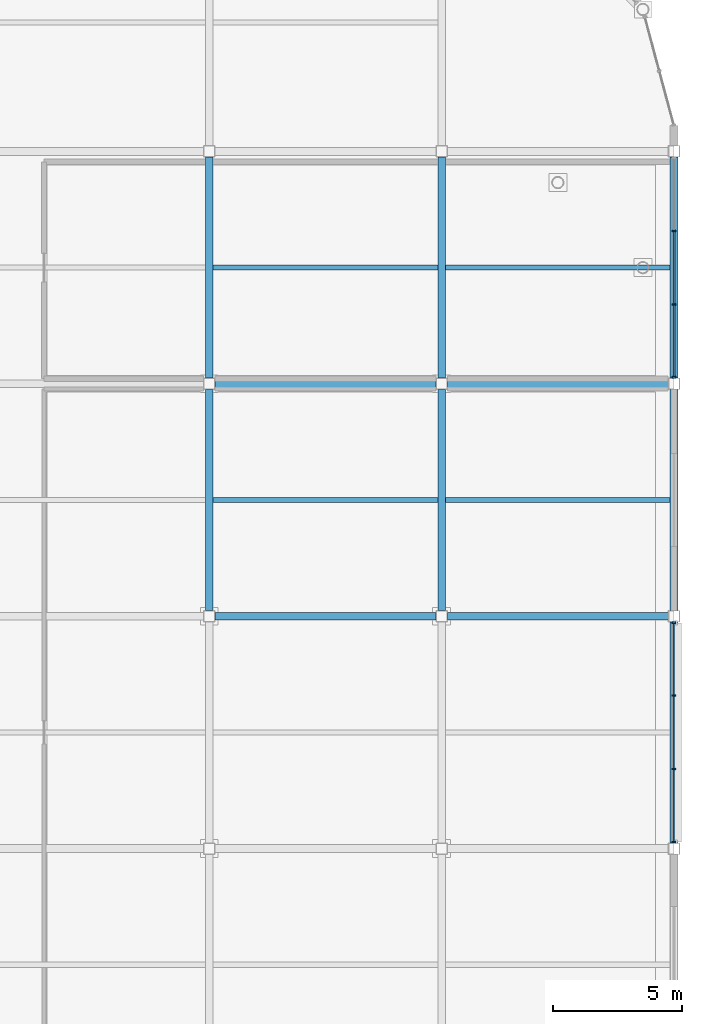
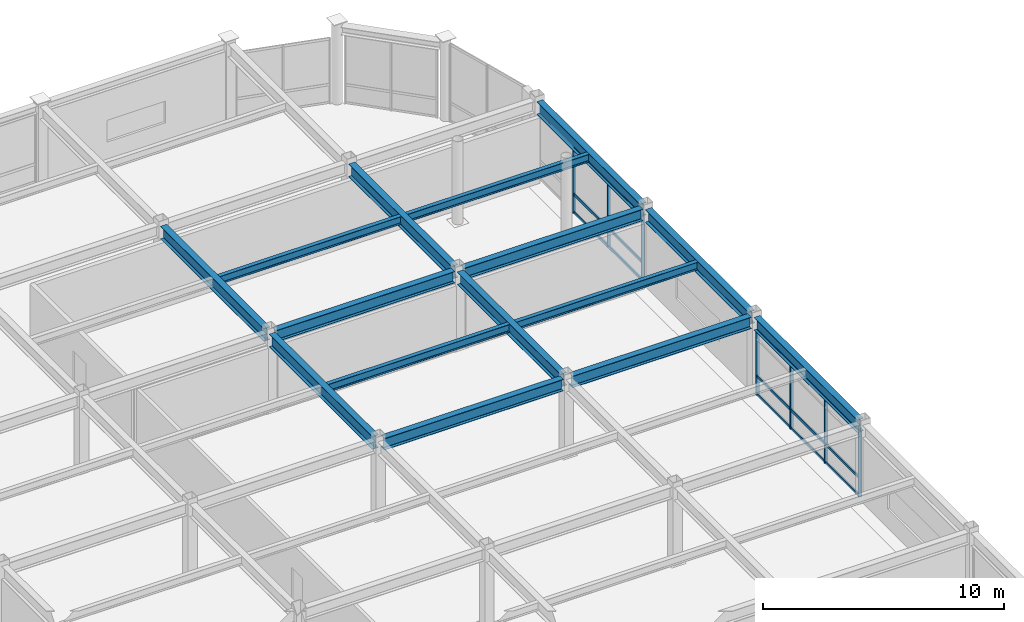
# One storey, part 58 of 105: 22 members, 15 beams, 2 elements without a shape of their own.
"""IFC4 building model written with IfcOpenShell, lengths in metres."""

import ifcopenshell
import ifcopenshell.guid

model = None  # the IFC model being written
_history = None  # IfcOwnerHistory: only IFC2X3 demands one
_inside = {}  # id of a spatial element -> (the spatial element, [elements in it])
_under = {}  # id of a project, library or spatial element -> (it, [spatial elements below it])
_declared = {}  # id of a project -> (the project, [libraries it declares])
_typed = {}  # id of a type object -> (the type object, [elements of that type])
_made_of = {}  # id of a material, layer set ... -> (it, [elements and type objects made of it])


def new_model(schema):
    """Start an empty IFC model of exactly this schema.

    Asked for "IFC4X3", IfcOpenShell would pick the latest addendum, in which some entities
    have other attributes; the version numbers below select the first issue.
    IFC2X3 requires an IfcOwnerHistory on every rooted entity: one is made here for all.
    """
    global model, _history
    if schema == "IFC4X3":
        model = ifcopenshell.file(schema_version=(4, 3, 0, 0))
    else:
        model = ifcopenshell.file(schema=schema)
    _inside.clear()
    _under.clear()
    _declared.clear()
    _typed.clear()
    _made_of.clear()
    _history = None
    if model.schema == "IFC2X3":
        org = make("IfcOrganization", Name="unknown")
        user = make(
            "IfcPersonAndOrganization",
            ThePerson=make("IfcPerson", FamilyName="unknown"),
            TheOrganization=org,
        )
        app = make(
            "IfcApplication",
            ApplicationDeveloper=org,
            Version="unknown",
            ApplicationFullName="unknown",
            ApplicationIdentifier="unknown",
        )
        _history = make(
            "IfcOwnerHistory",
            OwningUser=user,
            OwningApplication=app,
            ChangeAction="ADDED",
            CreationDate=0,
        )
    return model


def make(cls, **values):
    """One entity of the class cls with the attributes given. An attribute that is None is left unset."""
    return model.create_entity(
        cls, **{name: value for name, value in values.items() if value is not None}
    )


def rooted(cls, **values):
    """An entity with a GlobalId (a new one), such as an element, a storey or a relation."""
    return make(cls, GlobalId=ifcopenshell.guid.new(), OwnerHistory=_history, **values)


def si_unit(unit_type, name, prefix=None):
    """IfcSIUnit, for example si_unit("LENGTHUNIT", "METRE", prefix="MILLI")."""
    return make("IfcSIUnit", UnitType=unit_type, Prefix=prefix, Name=name)


def assignment(units):
    """IfcUnitAssignment: the units of a project."""
    return None if units is None else make("IfcUnitAssignment", Units=units)


def point(xyz):
    """IfcCartesianPoint."""
    return None if xyz is None else make("IfcCartesianPoint", Coordinates=xyz)


def direction(xyz):
    """IfcDirection."""
    return None if xyz is None else make("IfcDirection", DirectionRatios=xyz)


def frame(location, z_axis=None, x_axis=None):
    """IfcAxis2Placement3D, a coordinate frame: its origin and axes. An axis left out is left unset."""
    return make(
        "IfcAxis2Placement3D",
        Location=point(location),
        Axis=direction(z_axis),
        RefDirection=direction(x_axis),
    )


def frame_2d(location, x_axis=None):
    """IfcAxis2Placement2D, a coordinate frame in the plane: its origin and x axis."""
    return make(
        "IfcAxis2Placement2D", Location=point(location), RefDirection=direction(x_axis)
    )


def origin():
    """The frame at (0, 0, 0) with its axes left unset."""
    return frame((0.0, 0.0, 0.0))


def origin_2d():
    """The frame at (0, 0) in the plane with its x axis left unset."""
    return frame_2d((0.0, 0.0))


def place(relative_to, where):
    """IfcLocalPlacement: puts the frame where relative to a parent placement (None: the world)."""
    return make(
        "IfcLocalPlacement", PlacementRelTo=relative_to, RelativePlacement=where
    )


def context(
    kind, dimensions, precision=None, world=None, true_north=None, identifier=None
):
    """IfcGeometricRepresentationContext, for example the 3D "Model" context."""
    return make(
        "IfcGeometricRepresentationContext",
        ContextIdentifier=identifier,
        ContextType=kind,
        CoordinateSpaceDimension=dimensions,
        Precision=precision,
        WorldCoordinateSystem=world,
        TrueNorth=true_north,
    )


def subcontext(parent, identifier, kind, view, scale=None):
    """IfcGeometricRepresentationSubContext, for example "Body" below "Model"."""
    return make(
        "IfcGeometricRepresentationSubContext",
        ContextIdentifier=identifier,
        ContextType=kind,
        ParentContext=parent,
        TargetScale=scale,
        TargetView=view,
    )


def project(units=None, contexts=None):
    """IfcProject with its units and contexts."""
    return rooted(
        "IfcProject",
        Name="project",
        RepresentationContexts=contexts,
        UnitsInContext=assignment(units),
    )


def spatial(cls, under=None, at=None, **own):
    """A site, building, storey or space (cls), placed at a placement, below another one or the project."""
    s = rooted(cls, ObjectPlacement=at, **own)
    if under is not None:
        _under.setdefault(under.id(), (under, []))[1].append(s)
    return s


def profile(cls, at=None, kind="AREA", **sizes):
    """A parametric profile (cls). Its sizes go by their IFC names, for example OverallWidth=200.0."""
    return make(cls, ProfileType=kind, Position=at, **sizes)


def rectangle(**sizes):
    """IfcRectangleProfileDef."""
    return profile("IfcRectangleProfileDef", **sizes)


def i_section(**sizes):
    """IfcIShapeProfileDef."""
    return profile("IfcIShapeProfileDef", **sizes)


def extrude(swept, where, along, depth):
    """IfcExtrudedAreaSolid: the profile swept, set in the frame where, extruded along a direction by depth."""
    return make(
        "IfcExtrudedAreaSolid",
        SweptArea=swept,
        Position=where,
        ExtrudedDirection=direction(along),
        Depth=depth,
    )


def shape(context_of_items, identifier, shape_type, items):
    """IfcShapeRepresentation: the items that make up one representation, for example the "Body"."""
    return make(
        "IfcShapeRepresentation",
        ContextOfItems=context_of_items,
        RepresentationIdentifier=identifier,
        RepresentationType=shape_type,
        Items=items,
    )


def material(Name=None, Category=None):
    """IfcMaterial."""
    return make("IfcMaterial", Name=Name, Category=Category)


def material_profile(
    of_material, cross_section, Name=None, Category=None, Priority=None
):
    """IfcMaterialProfile: a cross section and its material."""
    return make(
        "IfcMaterialProfile",
        Name=Name,
        Material=of_material,
        Profile=cross_section,
        Priority=Priority,
        Category=Category,
    )


def profile_set(profiles, Name=None, composite=None):
    """IfcMaterialProfileSet."""
    return make(
        "IfcMaterialProfileSet",
        Name=Name,
        MaterialProfiles=profiles,
        CompositeProfile=composite,
    )


def made_of(thing, what):
    """Note that an element or type object is made of a material, layer set ...; save() writes the relation."""
    if what is not None:
        _made_of.setdefault(what.id(), (what, []))[1].append(thing)
    return thing


def type_object(cls, material=None, **own):
    """A type object (cls), such as IfcWallType, which elements share."""
    return made_of(rooted(cls, **own), material)


def element(
    cls,
    number,
    at=None,
    inside=None,
    cuts=None,
    type_object=None,
    material=None,
    context=None,
    identifier="Body",
    shape_type=None,
    held_by="IfcProductDefinitionShape",
    body=None,
    shapes=None,
    **own,
):
    """One element of the class cls, such as IfcWall. Its Tag is "e" and its number.

    at: its placement. inside: the storey or other place that contains it. cuts: it is an
    opening in that element (IfcRelVoidsElement). A single representation is given by context,
    identifier, shape_type and body (its items); several are given by shapes. held_by: the class
    of the entity that holds the representations. save() writes the other relations.
    """
    e = rooted(cls, Tag="e%d" % number, ObjectPlacement=at, **own)
    if body is not None:
        shapes = [shape(context, identifier, shape_type, body)]
    if shapes is not None:
        e.Representation = make(held_by, Representations=shapes)
    if inside is not None:
        _inside.setdefault(inside.id(), (inside, []))[1].append(e)
    if cuts is not None:
        rooted(
            "IfcRelVoidsElement", RelatingBuildingElement=cuts, RelatedOpeningElement=e
        )
    if type_object is not None:
        _typed.setdefault(type_object.id(), (type_object, []))[1].append(e)
    return made_of(e, material)


def aggregate(whole, parts):
    """IfcRelAggregates: a whole, such as a stair, and the parts it consists of."""
    return rooted("IfcRelAggregates", RelatingObject=whole, RelatedObjects=parts)


def save(model, path):
    """Write the relations noted so far, then the file.

    IfcRelAggregates (storeys below a building ...), IfcRelContainedInSpatialStructure (elements
    in a storey), IfcRelDefinesByType, IfcRelAssociatesMaterial and IfcRelDeclares: one each for
    every whole, place, type object, material and project.
    """
    for whole, parts in _under.values():
        aggregate(whole, parts)
    for where, things in _inside.values():
        rooted(
            "IfcRelContainedInSpatialStructure",
            RelatedElements=things,
            RelatingStructure=where,
        )
    for kind, things in _typed.values():
        rooted("IfcRelDefinesByType", RelatedObjects=things, RelatingType=kind)
    for what, things in _made_of.values():
        rooted("IfcRelAssociatesMaterial", RelatedObjects=things, RelatingMaterial=what)
    for by, libraries in _declared.values():
        rooted("IfcRelDeclares", RelatingContext=by, RelatedDefinitions=libraries)
    model.write(path)


model = new_model("IFC4")

# Units and contexts
model_context = context("Model", 3, precision=1e-05, world=origin(), true_north=direction((0.0, 1.0)))
body_context = subcontext(model_context, "Body", "Model", "MODEL_VIEW")
ifc_project = project(units=[si_unit("LENGTHUNIT", "METRE"), si_unit("AREAUNIT", "SQUARE_METRE"), si_unit("VOLUMEUNIT", "CUBIC_METRE"), si_unit("PLANEANGLEUNIT", "RADIAN"), si_unit("MASSUNIT", "GRAM", prefix="KILO")], contexts=[model_context])

# Site, building, storey
site_placement = place(None, origin())
site = spatial("IfcSite", under=ifc_project, at=site_placement, CompositionType="ELEMENT")
building_placement = place(site_placement, origin())
building = spatial("IfcBuilding", under=site, at=building_placement, Name="Suzunagisa Mobility Hub", CompositionType="ELEMENT")
storey_placement = place(building_placement, frame((0.0, 0.0, 5.10009765625)))
storey = spatial("IfcBuildingStorey", under=building, at=storey_placement, Name="L01", CompositionType="ELEMENT", Elevation=5.10009765625)

# Curtain wall, members
ifc_material_1 = material(Name="Thermally Broken Anodized Aluminum and Low-E Glazing", Category="aluminium")
curtain_wall_type = type_object("IfcCurtainWallType", Name="Unitised Curtain Wall CW-43 8500x3300", PredefinedType="USERDEFINED", material=ifc_material_1)
curtain_wall_1_placement = place(storey_placement, origin())
curtain_wall_1 = element("IfcCurtainWall", 1, at=curtain_wall_1_placement, inside=storey, type_object=curtain_wall_type, Name="L01 Unitised Curtain Wall CW-186", ObjectType="UNITISED CURTAIN WALL", PredefinedType="USERDEFINED")
ifc_material_2 = material(Name="Anodized Aluminum 6063-T6", Category="aluminium")
ifc_material_profile_1 = material_profile(ifc_material_2, rectangle(XDim=0.06494140625, YDim=0.139892578125, at=origin_2d()), Name="TRAN-65x140")
ifc_profile_set_1 = profile_set([ifc_material_profile_1], Name="Anodized Aluminum 6063-T6")
member_type_1 = type_object("IfcMemberType", Name="Curtain Wall Framing CM-01 TRAN-65x140", PredefinedType="USERDEFINED", material=ifc_profile_set_1)
member_1_placement = place(storey_placement, frame((180.0, 71.282958984375, 0.032470703125), z_axis=(0.0, 1.0, 0.0), x_axis=(-1.0, 0.0, 0.0)))
member_1 = element("IfcMember", 2, at=member_1_placement, type_object=member_type_1, Name="Curtain Wall Transom 186-T1.1", ObjectType="TRANSOM", PredefinedType="USERDEFINED", context=body_context, shape_type="SweptSolid", body=[
    extrude(rectangle(XDim=0.06494140625, YDim=0.139892578125, at=origin_2d()), origin(), (0.0, 0.0, 1.0), 2.76416015625),
])
member_2_placement = place(storey_placement, frame((180.0, 71.282958984375, 0.949951171875), z_axis=(0.0, 1.0, 0.0), x_axis=(-1.0, 0.0, 0.0)))
member_2 = element("IfcMember", 3, at=member_2_placement, type_object=member_type_1, Name="Curtain Wall Transom 186-T1.2", ObjectType="TRANSOM", PredefinedType="USERDEFINED", context=body_context, shape_type="SweptSolid", body=[
    extrude(rectangle(XDim=0.06494140625, YDim=0.139892578125, at=origin_2d()), origin(), (0.0, 0.0, 1.0), 2.76416015625),
])
member_3_placement = place(storey_placement, frame((180.0, 71.282958984375, 3.267333984375), z_axis=(0.0, 1.0, 0.0), x_axis=(-1.0, 0.0, 0.0)))
member_3 = element("IfcMember", 4, at=member_3_placement, type_object=member_type_1, Name="Curtain Wall Transom 186-T1.3", ObjectType="TRANSOM", PredefinedType="USERDEFINED", context=body_context, shape_type="SweptSolid", body=[
    extrude(rectangle(XDim=0.06494140625, YDim=0.139892578125, at=origin_2d()), origin(), (0.0, 0.0, 1.0), 2.76416015625),
])
member_4_placement = place(storey_placement, frame((180.0, 74.10302734375, 0.032470703125), z_axis=(0.0, 1.0, 0.0), x_axis=(-1.0, 0.0, 0.0)))
member_4 = element("IfcMember", 5, at=member_4_placement, type_object=member_type_1, Name="Curtain Wall Transom 186-T2.1", ObjectType="TRANSOM", PredefinedType="USERDEFINED", context=body_context, shape_type="SweptSolid", body=[
    extrude(rectangle(XDim=0.06494140625, YDim=0.139892578125, at=origin_2d()), origin(), (0.0, 0.0, 1.0), 2.7939453125),
])
member_5_placement = place(storey_placement, frame((180.0, 74.10302734375, 0.949951171875), z_axis=(0.0, 1.0, 0.0), x_axis=(-1.0, 0.0, 0.0)))
member_5 = element("IfcMember", 6, at=member_5_placement, type_object=member_type_1, Name="Curtain Wall Transom 186-T2.2", ObjectType="TRANSOM", PredefinedType="USERDEFINED", context=body_context, shape_type="SweptSolid", body=[
    extrude(rectangle(XDim=0.06494140625, YDim=0.139892578125, at=origin_2d()), origin(), (0.0, 0.0, 1.0), 2.7939453125),
])
member_6_placement = place(storey_placement, frame((180.0, 74.10302734375, 3.267333984375), z_axis=(0.0, 1.0, 0.0), x_axis=(-1.0, 0.0, 0.0)))
member_6 = element("IfcMember", 7, at=member_6_placement, type_object=member_type_1, Name="Curtain Wall Transom 186-T2.3", ObjectType="TRANSOM", PredefinedType="USERDEFINED", context=body_context, shape_type="SweptSolid", body=[
    extrude(rectangle(XDim=0.06494140625, YDim=0.139892578125, at=origin_2d()), origin(), (0.0, 0.0, 1.0), 2.7939453125),
])
member_7_placement = place(storey_placement, frame((180.0, 76.952880859375, 0.032470703125), z_axis=(0.0, 1.0, 0.0), x_axis=(-1.0, 0.0, 0.0)))
member_7 = element("IfcMember", 8, at=member_7_placement, type_object=member_type_1, Name="Curtain Wall Transom 186-T3.1", ObjectType="TRANSOM", PredefinedType="USERDEFINED", context=body_context, shape_type="SweptSolid", body=[
    extrude(rectangle(XDim=0.06494140625, YDim=0.139892578125, at=origin_2d()), origin(), (0.0, 0.0, 1.0), 2.76416015625),
])
member_8_placement = place(storey_placement, frame((180.0, 76.952880859375, 0.949951171875), z_axis=(0.0, 1.0, 0.0), x_axis=(-1.0, 0.0, 0.0)))
member_8 = element("IfcMember", 9, at=member_8_placement, type_object=member_type_1, Name="Curtain Wall Transom 186-T3.2", ObjectType="TRANSOM", PredefinedType="USERDEFINED", context=body_context, shape_type="SweptSolid", body=[
    extrude(rectangle(XDim=0.06494140625, YDim=0.139892578125, at=origin_2d()), origin(), (0.0, 0.0, 1.0), 2.76416015625),
])
member_9_placement = place(storey_placement, frame((180.0, 76.952880859375, 3.267333984375), z_axis=(0.0, 1.0, 0.0), x_axis=(-1.0, 0.0, 0.0)))
member_9 = element("IfcMember", 10, at=member_9_placement, type_object=member_type_1, Name="Curtain Wall Transom 186-T3.3", ObjectType="TRANSOM", PredefinedType="USERDEFINED", context=body_context, shape_type="SweptSolid", body=[
    extrude(rectangle(XDim=0.06494140625, YDim=0.139892578125, at=origin_2d()), origin(), (0.0, 0.0, 1.0), 2.76416015625),
])

curtain_wall_2_placement = place(storey_placement, origin())
curtain_wall_2 = element("IfcCurtainWall", 11, at=curtain_wall_2_placement, inside=storey, type_object=curtain_wall_type, Name="L01 Unitised Curtain Wall CW-187", ObjectType="UNITISED CURTAIN WALL", PredefinedType="USERDEFINED")
member_10_placement = place(storey_placement, frame((180.0, 89.282958984375, 0.032470703125), z_axis=(0.0, 1.0, 0.0), x_axis=(-1.0, 0.0, 0.0)))
member_10 = element("IfcMember", 12, at=member_10_placement, type_object=member_type_1, Name="Curtain Wall Transom 187-T1.1", ObjectType="TRANSOM", PredefinedType="USERDEFINED", context=body_context, shape_type="SweptSolid", body=[
    extrude(rectangle(XDim=0.06494140625, YDim=0.139892578125, at=origin_2d()), origin(), (0.0, 0.0, 1.0), 2.76416015625),
])
member_11_placement = place(storey_placement, frame((180.0, 89.282958984375, 0.949951171875), z_axis=(0.0, 1.0, 0.0), x_axis=(-1.0, 0.0, 0.0)))
member_11 = element("IfcMember", 13, at=member_11_placement, type_object=member_type_1, Name="Curtain Wall Transom 187-T1.2", ObjectType="TRANSOM", PredefinedType="USERDEFINED", context=body_context, shape_type="SweptSolid", body=[
    extrude(rectangle(XDim=0.06494140625, YDim=0.139892578125, at=origin_2d()), origin(), (0.0, 0.0, 1.0), 2.76416015625),
])
member_12_placement = place(storey_placement, frame((180.0, 89.282958984375, 3.267333984375), z_axis=(0.0, 1.0, 0.0), x_axis=(-1.0, 0.0, 0.0)))
member_12 = element("IfcMember", 14, at=member_12_placement, type_object=member_type_1, Name="Curtain Wall Transom 187-T1.3", ObjectType="TRANSOM", PredefinedType="USERDEFINED", context=body_context, shape_type="SweptSolid", body=[
    extrude(rectangle(XDim=0.06494140625, YDim=0.139892578125, at=origin_2d()), origin(), (0.0, 0.0, 1.0), 2.76416015625),
])
member_13_placement = place(storey_placement, frame((180.0, 92.10302734375, 0.032470703125), z_axis=(0.0, 1.0, 0.0), x_axis=(-1.0, 0.0, 0.0)))
member_13 = element("IfcMember", 15, at=member_13_placement, type_object=member_type_1, Name="Curtain Wall Transom 187-T2.1", ObjectType="TRANSOM", PredefinedType="USERDEFINED", context=body_context, shape_type="SweptSolid", body=[
    extrude(rectangle(XDim=0.06494140625, YDim=0.139892578125, at=origin_2d()), origin(), (0.0, 0.0, 1.0), 2.7939453125),
])
member_14_placement = place(storey_placement, frame((180.0, 92.10302734375, 0.949951171875), z_axis=(0.0, 1.0, 0.0), x_axis=(-1.0, 0.0, 0.0)))
member_14 = element("IfcMember", 16, at=member_14_placement, type_object=member_type_1, Name="Curtain Wall Transom 187-T2.2", ObjectType="TRANSOM", PredefinedType="USERDEFINED", context=body_context, shape_type="SweptSolid", body=[
    extrude(rectangle(XDim=0.06494140625, YDim=0.139892578125, at=origin_2d()), origin(), (0.0, 0.0, 1.0), 2.7939453125),
])
member_15_placement = place(storey_placement, frame((180.0, 92.10302734375, 3.267333984375), z_axis=(0.0, 1.0, 0.0), x_axis=(-1.0, 0.0, 0.0)))
member_15 = element("IfcMember", 17, at=member_15_placement, type_object=member_type_1, Name="Curtain Wall Transom 187-T2.3", ObjectType="TRANSOM", PredefinedType="USERDEFINED", context=body_context, shape_type="SweptSolid", body=[
    extrude(rectangle(XDim=0.06494140625, YDim=0.139892578125, at=origin_2d()), origin(), (0.0, 0.0, 1.0), 2.7939453125),
])

# Member
ifc_material_profile_2 = material_profile(ifc_material_2, rectangle(XDim=0.06005859375, YDim=0.14990234375, at=origin_2d()), Name="MULL-60x150")
ifc_profile_set_2 = profile_set([ifc_material_profile_2], Name="Anodized Aluminum 6063-T6")
member_type_2 = type_object("IfcMemberType", Name="Curtain Wall Framing CM-03 MULL-60x150", PredefinedType="MULLION", material=ifc_profile_set_2)
member_16_placement = place(storey_placement, frame((180.0, 71.2548828125, 0.0), z_axis=(0.0, 0.0, 1.0), x_axis=(0.0, 1.0, 0.0)))
member_16 = element("IfcMember", 18, at=member_16_placement, type_object=member_type_2, Name="Curtain Wall Mullion 186-M1", PredefinedType="MULLION", context=body_context, shape_type="SweptSolid", body=[
    extrude(rectangle(XDim=0.06005859375, YDim=0.14990234375, at=origin_2d()), origin(), (0.0, 0.0, 1.0), 3.2998046875),
])

member_17_placement = place(storey_placement, frame((180.0, 74.074951171875, 0.0), z_axis=(0.0, 0.0, 1.0), x_axis=(0.0, 1.0, 0.0)))
member_17 = element("IfcMember", 19, at=member_17_placement, type_object=member_type_2, Name="Curtain Wall Mullion 186-M2", PredefinedType="MULLION", context=body_context, shape_type="SweptSolid", body=[
    extrude(rectangle(XDim=0.06005859375, YDim=0.14990234375, at=origin_2d()), origin(), (0.0, 0.0, 1.0), 3.2998046875),
])

member_18_placement = place(storey_placement, frame((180.0, 76.925048828125, 0.0), z_axis=(0.0, 0.0, 1.0), x_axis=(0.0, 1.0, 0.0)))
member_18 = element("IfcMember", 20, at=member_18_placement, type_object=member_type_2, Name="Curtain Wall Mullion 186-M3", PredefinedType="MULLION", context=body_context, shape_type="SweptSolid", body=[
    extrude(rectangle(XDim=0.06005859375, YDim=0.14990234375, at=origin_2d()), origin(), (0.0, 0.0, 1.0), 3.2998046875),
])

member_19_placement = place(storey_placement, frame((180.0, 79.7451171875, 0.0), z_axis=(0.0, 0.0, 1.0), x_axis=(0.0, 1.0, 0.0)))
member_19 = element("IfcMember", 21, at=member_19_placement, type_object=member_type_2, Name="Curtain Wall Mullion 186-M4", PredefinedType="MULLION", context=body_context, shape_type="SweptSolid", body=[
    extrude(rectangle(XDim=0.06005859375, YDim=0.14990234375, at=origin_2d()), origin(), (0.0, 0.0, 1.0), 3.2998046875),
])

aggregate(curtain_wall_1, [member_16, member_17, member_18, member_19, member_1, member_2, member_3, member_4, member_5, member_6, member_7, member_8, member_9])

member_20_placement = place(storey_placement, frame((180.0, 89.2548828125, 0.0), z_axis=(0.0, 0.0, 1.0), x_axis=(0.0, 1.0, 0.0)))
member_20 = element("IfcMember", 22, at=member_20_placement, type_object=member_type_2, Name="Curtain Wall Mullion 187-M1", PredefinedType="MULLION", context=body_context, shape_type="SweptSolid", body=[
    extrude(rectangle(XDim=0.06005859375, YDim=0.14990234375, at=origin_2d()), origin(), (0.0, 0.0, 1.0), 3.2998046875),
])

member_21_placement = place(storey_placement, frame((180.0, 92.074951171875, 0.0), z_axis=(0.0, 0.0, 1.0), x_axis=(0.0, 1.0, 0.0)))
member_21 = element("IfcMember", 23, at=member_21_placement, type_object=member_type_2, Name="Curtain Wall Mullion 187-M2", PredefinedType="MULLION", context=body_context, shape_type="SweptSolid", body=[
    extrude(rectangle(XDim=0.06005859375, YDim=0.14990234375, at=origin_2d()), origin(), (0.0, 0.0, 1.0), 3.2998046875),
])

member_22_placement = place(storey_placement, frame((180.0, 94.925048828125, 0.0), z_axis=(0.0, 0.0, 1.0), x_axis=(0.0, 1.0, 0.0)))
member_22 = element("IfcMember", 24, at=member_22_placement, type_object=member_type_2, Name="Curtain Wall Mullion 187-M3", PredefinedType="MULLION", context=body_context, shape_type="SweptSolid", body=[
    extrude(rectangle(XDim=0.06005859375, YDim=0.14990234375, at=origin_2d()), origin(), (0.0, 0.0, 1.0), 3.2998046875),
])

aggregate(curtain_wall_2, [member_20, member_21, member_22, member_10, member_11, member_12, member_13, member_14, member_15])

# Beams
ifc_material_3 = material(Name="Steel SN490B", Category="steel")
ifc_material_profile_3 = material_profile(ifc_material_3, i_section(OverallWidth=0.300048828125, OverallDepth=0.64990234375, WebThickness=0.012939453125, FlangeThickness=0.02197265625, FilletRadius=0.01611328125, at=origin_2d()), Name="H-650x300x13x22")
ifc_profile_set_3 = profile_set([ifc_material_profile_3], Name="Steel SN490B")
beam_type_1 = type_object("IfcBeamType", Name="Steel Beam BM-10 H-650x300x13x22", PredefinedType="BEAM", material=ifc_profile_set_3)
for number, where, z_axis, x_axis, name in (
    (25, (162.0, 80.220947265625, 3.625), (0.0, 1.0, 0.0), (-1.0, 0.0, 0.0), "L01 Primary Girder GY-1839"),
    (26, (162.0, 89.220947265625, 3.625), (0.0, 1.0, 0.0), (-1.0, 0.0, 0.0), "L01 Primary Girder GY-1840"),
    (27, (171.0, 80.220947265625, 3.625), (0.0, 1.0, 0.0), (-1.0, 0.0, 0.0), "L01 Primary Girder GY-1845"),
    (28, (171.0, 89.220947265625, 3.625), (0.0, 1.0, 0.0), (-1.0, 0.0, 0.0), "L01 Primary Girder GY-1846"),
    (29, (180.0, 71.220947265625, 3.625), (0.0, 1.0, 0.0), (-1.0, 0.0, 0.0), "L01 Primary Girder GY-1850"),
    (30, (180.0, 80.220947265625, 3.625), (0.0, 1.0, 0.0), (-1.0, 0.0, 0.0), "L01 Primary Girder GY-1851"),
    (31, (180.0, 89.220947265625, 3.625), (0.0, 1.0, 0.0), (-1.0, 0.0, 0.0), "L01 Primary Girder GY-1852"),
):
    element("IfcBeam", number, at=place(storey_placement, frame(where, z_axis=z_axis, x_axis=x_axis)), inside=storey, type_object=beam_type_1, Name=name, PredefinedType="BEAM", context=body_context, shape_type="SweptSolid", body=[
        extrude(i_section(OverallWidth=0.300048828125, OverallDepth=0.64990234375, WebThickness=0.012939453125, FlangeThickness=0.02197265625, FilletRadius=0.01611328125, at=origin_2d()), origin(), (0.0, 0.0, 1.0), 8.55810546875),
    ])
ifc_material_4 = material(Name="Steel SN400B", Category="steel")
ifc_material_profile_4 = material_profile(ifc_material_4, i_section(OverallWidth=0.199951171875, OverallDepth=0.39990234375, WebThickness=0.008056640625, FlangeThickness=0.012939453125, FilletRadius=0.012939453125, at=origin_2d()), Name="H-400x200x8x13")
ifc_profile_set_4 = profile_set([ifc_material_profile_4], Name="Steel SN400B")
beam_type_2 = type_object("IfcBeamType", Name="Steel Beam BM-14 H-400x200x8x13", PredefinedType="JOIST", material=ifc_profile_set_4)
for number, where, z_axis, x_axis, name in (
    (32, (162.14990234375, 84.5, 3.75), (1.0, 0.0, 0.0), (0.0, 1.0, 0.0), "L01 Composite Floor Joist J-1865"),
    (33, (162.14990234375, 93.5, 3.75), (1.0, 0.0, 0.0), (0.0, 1.0, 0.0), "L01 Composite Floor Joist J-1866"),
    (34, (171.14990234375, 84.5, 3.75), (1.0, 0.0, 0.0), (0.0, 1.0, 0.0), "L01 Composite Floor Joist J-1871"),
    (35, (171.14990234375, 93.5, 3.75), (1.0, 0.0, 0.0), (0.0, 1.0, 0.0), "L01 Composite Floor Joist J-1872"),
):
    element("IfcBeam", number, at=place(storey_placement, frame(where, z_axis=z_axis, x_axis=x_axis)), inside=storey, type_object=beam_type_2, Name=name, PredefinedType="JOIST", context=body_context, shape_type="SweptSolid", body=[
        extrude(i_section(OverallWidth=0.199951171875, OverallDepth=0.39990234375, WebThickness=0.008056640625, FlangeThickness=0.012939453125, FilletRadius=0.012939453125, at=origin_2d()), origin(), (0.0, 0.0, 1.0), 8.7001953125),
    ])
ifc_material_profile_5 = material_profile(ifc_material_3, i_section(OverallWidth=0.300048828125, OverallDepth=0.587890625, WebThickness=0.011962890625, FlangeThickness=0.02001953125, FilletRadius=0.012939453125, at=origin_2d()), Name="H-588x300x12x20")
ifc_profile_set_5 = profile_set([ifc_material_profile_5], Name="Steel SN490B")
beam_type_3 = type_object("IfcBeamType", Name="Steel Beam BM-16 H-588x300x12x20", PredefinedType="BEAM", material=ifc_profile_set_5)
for number, where, z_axis, x_axis, name in (
    (36, (162.220947265625, 80.0, 3.656005859375), (1.0, 0.0, 0.0), (0.0, 1.0, 0.0), "L01 Primary Girder GX-1813"),
    (37, (171.220947265625, 80.0, 3.656005859375), (1.0, 0.0, 0.0), (0.0, 1.0, 0.0), "L01 Primary Girder GX-1814"),
    (38, (162.220947265625, 89.0, 3.656005859375), (1.0, 0.0, 0.0), (0.0, 1.0, 0.0), "L01 Primary Girder GX-1817"),
    (39, (171.220947265625, 89.0, 3.656005859375), (1.0, 0.0, 0.0), (0.0, 1.0, 0.0), "L01 Primary Girder GX-1818"),
):
    element("IfcBeam", number, at=place(storey_placement, frame(where, z_axis=z_axis, x_axis=x_axis)), inside=storey, type_object=beam_type_3, Name=name, PredefinedType="BEAM", context=body_context, shape_type="SweptSolid", body=[
        extrude(i_section(OverallWidth=0.300048828125, OverallDepth=0.587890625, WebThickness=0.011962890625, FlangeThickness=0.02001953125, FilletRadius=0.012939453125, at=origin_2d()), origin(), (0.0, 0.0, 1.0), 8.55810546875),
    ])

save(model, "model.ifc")
